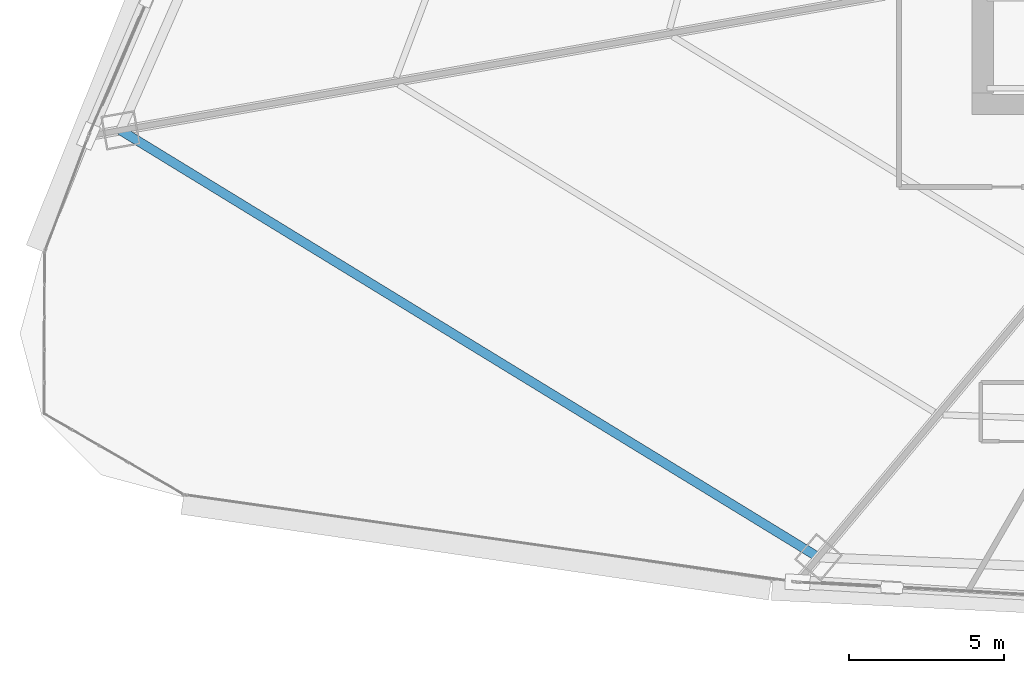
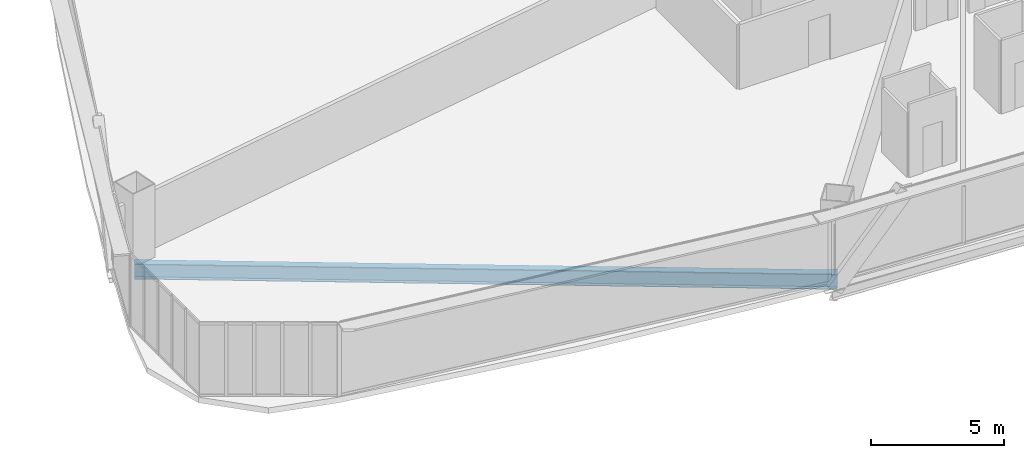
# One storey, part 5 of 41: 1 beam.
"""IFC4 building model written with IfcOpenShell, lengths in metres."""

from ifc_helpers import new_model, si_unit, direction, frame, origin, origin_2d, place, context, subcontext, project, spatial, i_section, extrude, source, transform, mapped, material, material_profile, profile_set, type_object, element, save


model = new_model("IFC4")

# Units and contexts
model_context = context("Model", 3, precision=1e-05, world=origin(), true_north=direction((0.0, 1.0)))
body_context = subcontext(model_context, "Body", "Model", "MODEL_VIEW")
ifc_project = project(units=[si_unit("LENGTHUNIT", "METRE"), si_unit("AREAUNIT", "SQUARE_METRE"), si_unit("VOLUMEUNIT", "CUBIC_METRE"), si_unit("PLANEANGLEUNIT", "RADIAN"), si_unit("MASSUNIT", "GRAM", prefix="KILO"), si_unit("THERMODYNAMICTEMPERATUREUNIT", "KELVIN"), si_unit("POWERUNIT", "WATT")], contexts=[model_context])

# Site, building, storey
site_placement = place(None, origin())
site = spatial("IfcSite", under=ifc_project, at=site_placement, CompositionType="ELEMENT")
building_placement = place(site_placement, origin())
building = spatial("IfcBuilding", under=site, at=building_placement, Name="Yunzhuo Pagoda Commons", CompositionType="ELEMENT")
storey_placement = place(building_placement, frame((0.0, 0.0, 63.070068359375)))
storey = spatial("IfcBuildingStorey", under=building, at=storey_placement, Name="L16", CompositionType="ELEMENT", Elevation=63.070068359375)

# Beam
ifc_material = material(Name="Structural steel Q355B", Category="steel")
ifc_material_profile = material_profile(ifc_material, i_section(OverallWidth=0.300048828125, OverallDepth=0.699951171875, WebThickness=0.012939453125, FlangeThickness=0.02392578125, at=origin_2d()), Name="Structural steel Q355B")
ifc_profile_set = profile_set([ifc_material_profile], Name="Structural steel Q355B")
beam_type = type_object("IfcBeamType", Name="B-RG1 Beam HN 700x300x13x24", PredefinedType="BEAM", material=ifc_profile_set)
shared_shape = source(origin(), body_context, "Body", "SweptSolid", [
    extrude(i_section(OverallWidth=0.300048828125, OverallDepth=0.699951171875, WebThickness=0.012939453125, FlangeThickness=0.02392578125, at=origin_2d()), origin(), (0.0, 0.0, 1.0), 26.432373046875),
])
beam_placement = place(storey_placement, frame((7.952392578125, 26.638427734375, -0.610107421875), z_axis=(0.853031728928, -0.521859051318, 0.0), x_axis=(0.521859051318, 0.853031728928, 0.0)))
element("IfcBeam", 1, at=beam_placement, inside=storey, type_object=beam_type, Name="L16 column-ring beam 12", PredefinedType="BEAM", context=body_context, shape_type="MappedRepresentation", body=[
    mapped(shared_shape, transform((0.0, 0.0, 0.0), scale=1.0)),
])

save(model, "model.ifc")
